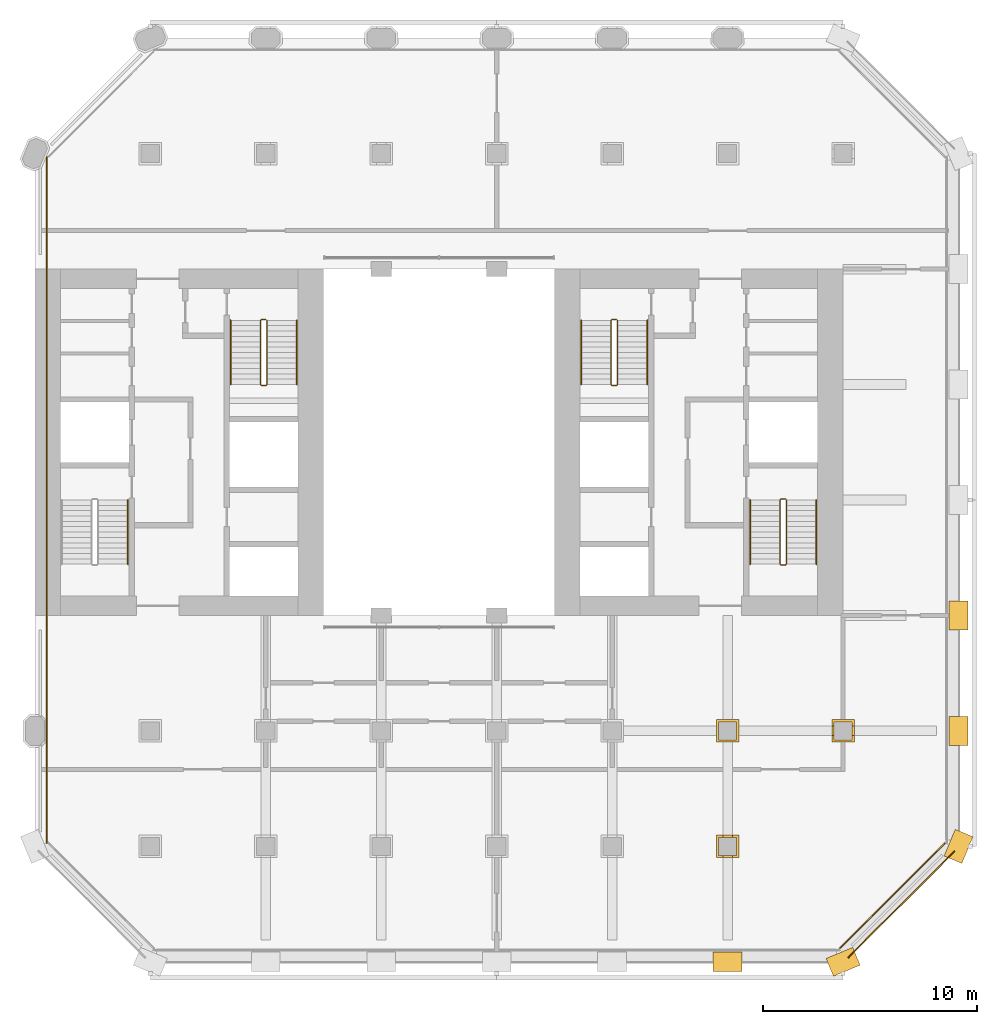
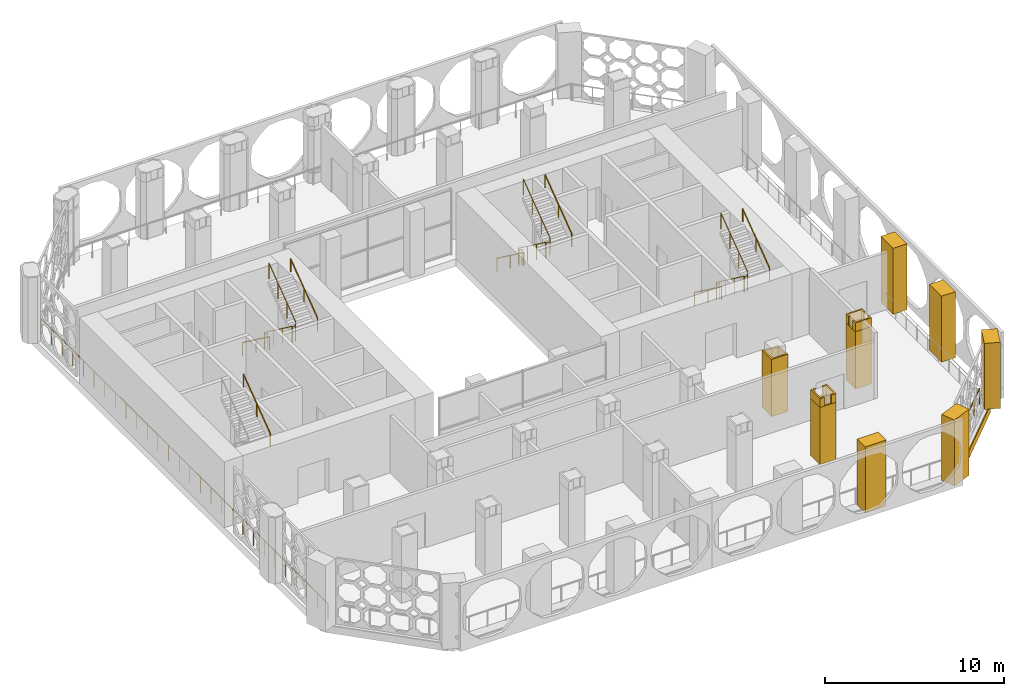
# One storey, part 12 of 14: 13 coverings, 12 railings.
"""IFC4 building model written with IfcOpenShell, lengths in metres."""

from ifc_helpers import new_model, si_unit, direction, frame, frame_2d, origin, origin_2d, place, context, subcontext, project, spatial, polyline, rectangle, circle, outline, extrude, material, layer, layer_set, type_object, element, save


model = new_model("IFC4")

# Units and contexts
model_context = context("Model", 3, precision=1e-05, world=origin(), true_north=direction((0.0, 1.0)))
body_context = subcontext(model_context, "Body", "Model", "MODEL_VIEW")
ifc_project = project(units=[si_unit("LENGTHUNIT", "METRE"), si_unit("AREAUNIT", "SQUARE_METRE"), si_unit("VOLUMEUNIT", "CUBIC_METRE"), si_unit("PLANEANGLEUNIT", "RADIAN"), si_unit("MASSUNIT", "GRAM", prefix="KILO")], contexts=[model_context])

# Site, building, storey
site_placement = place(None, origin())
site = spatial("IfcSite", under=ifc_project, at=site_placement, CompositionType="ELEMENT")
building_placement = place(site_placement, origin())
building = spatial("IfcBuilding", under=site, at=building_placement, Name="Tabaq Tower and Sports Hall", CompositionType="ELEMENT")
storey_placement = place(building_placement, frame((0.0, 0.0, 175.89990234375)))
storey = spatial("IfcBuildingStorey", under=building, at=storey_placement, Name="L42", CompositionType="ELEMENT", Elevation=175.89990234375)

# Coverings
ifc_material_1 = material(Name="Precast concrete C60/75", Category="concrete")
ifc_layer_1 = layer(ifc_material_1, 0.10009765625)
ifc_layer_set_1 = layer_set([ifc_layer_1], Name="Column cladding 100")
covering_type_1 = type_object("IfcCoveringType", Name="Column cladding 100", PredefinedType="CLADDING", material=ifc_layer_set_1)
covering_1_placement = place(storey_placement, origin())
element("IfcCovering", 1, at=covering_1_placement, inside=storey, type_object=covering_type_1, Name="Column cladding L42 CC-8B-H1", PredefinedType="CLADDING", context=body_context, shape_type="SweptSolid", body=[
    extrude(outline(polyline([(37.275390625, 5.9248046875), (38.32470703125, 5.9248046875), (38.32470703125, 4.875244140625), (37.275390625, 4.875244140625), (37.275390625, 5.9248046875)]), holes=[polyline([(38.225341796875, 4.974609375), (38.225341796875, 5.8251953125), (37.374755859375, 5.8251953125), (37.374755859375, 4.974609375), (38.225341796875, 4.974609375)])]), origin(), (0.0, 0.0, 1.0), 3.900146484375),
])
covering_2_placement = place(storey_placement, frame((0.0, 0.0, 3.900146484375)))
element("IfcCovering", 2, at=covering_2_placement, inside=storey, type_object=covering_type_1, Name="Column cladding L42 CC-8B-H1 head", PredefinedType="CLADDING", context=body_context, shape_type="SweptSolid", body=[
    extrude(outline(polyline([(37.574462890625, 4.974365234375), (37.574462890625, 4.87548828125), (37.275634765625, 4.87548828125), (37.275634765625, 5.92431640625), (37.574462890625, 5.92431640625), (37.574462890625, 5.82568359375), (37.37451171875, 5.82568359375), (37.37451171875, 4.974365234375), (37.574462890625, 4.974365234375)])), origin(), (0.0, 0.0, 1.0), 0.599853515625),
])
covering_3_placement = place(storey_placement, frame((0.0, 0.0, 3.900146484375)))
element("IfcCovering", 3, at=covering_3_placement, inside=storey, type_object=covering_type_1, Name="Column cladding L42 CC-8B-H1 head 2", PredefinedType="CLADDING", context=body_context, shape_type="SweptSolid", body=[
    extrude(outline(polyline([(38.025634765625, 4.974365234375), (38.2255859375, 4.974365234375), (38.2255859375, 5.82568359375), (38.025634765625, 5.82568359375), (38.025634765625, 5.92431640625), (38.324462890625, 5.92431640625), (38.324462890625, 4.87548828125), (38.025634765625, 4.87548828125), (38.025634765625, 4.974365234375)])), origin(), (0.0, 0.0, 1.0), 0.599853515625),
])
covering_4_placement = place(storey_placement, origin())
element("IfcCovering", 4, at=covering_4_placement, inside=storey, type_object=covering_type_1, Name="Column cladding L42 CC-8C-H1", PredefinedType="CLADDING", context=body_context, shape_type="SweptSolid", body=[
    extrude(outline(polyline([(37.275390625, 11.32470703125), (38.32470703125, 11.32470703125), (38.32470703125, 10.275390625), (37.275390625, 10.275390625), (37.275390625, 11.32470703125)]), holes=[polyline([(38.225341796875, 10.374755859375), (38.225341796875, 11.225341796875), (37.374755859375, 11.225341796875), (37.374755859375, 10.374755859375), (38.225341796875, 10.374755859375)])]), origin(), (0.0, 0.0, 1.0), 3.900146484375),
])
covering_5_placement = place(storey_placement, origin())
element("IfcCovering", 5, at=covering_5_placement, inside=storey, type_object=covering_type_1, Name="Column cladding L42 CC-9C-H1", PredefinedType="CLADDING", context=body_context, shape_type="SweptSolid", body=[
    extrude(outline(polyline([(42.67529296875, 11.32470703125), (43.724609375, 11.32470703125), (43.724609375, 10.275390625), (42.67529296875, 10.275390625), (42.67529296875, 11.32470703125)]), holes=[polyline([(43.625244140625, 10.374755859375), (43.625244140625, 11.225341796875), (42.774658203125, 11.225341796875), (42.774658203125, 10.374755859375), (43.625244140625, 10.374755859375)])]), origin(), (0.0, 0.0, 1.0), 3.900146484375),
])
covering_6_placement = place(storey_placement, frame((0.0, 0.0, 3.900146484375)))
element("IfcCovering", 6, at=covering_6_placement, inside=storey, type_object=covering_type_1, Name="Column cladding L42 CC-9C-H1 head", PredefinedType="CLADDING", context=body_context, shape_type="SweptSolid", body=[
    extrude(outline(polyline([(42.7744140625, 10.574462890625), (42.7744140625, 10.37451171875), (43.62548828125, 10.37451171875), (43.62548828125, 10.574462890625), (43.724365234375, 10.574462890625), (43.724365234375, 10.275634765625), (42.675537109375, 10.275634765625), (42.675537109375, 10.574462890625), (42.7744140625, 10.574462890625)])), origin(), (0.0, 0.0, 1.0), 0.599853515625),
])
covering_7_placement = place(storey_placement, frame((0.0, 0.0, 3.900146484375)))
element("IfcCovering", 7, at=covering_7_placement, inside=storey, type_object=covering_type_1, Name="Column cladding L42 CC-9C-H1 head 2", PredefinedType="CLADDING", context=body_context, shape_type="SweptSolid", body=[
    extrude(outline(polyline([(42.7744140625, 11.025634765625), (42.675537109375, 11.025634765625), (42.675537109375, 11.324462890625), (43.724365234375, 11.324462890625), (43.724365234375, 11.025634765625), (43.62548828125, 11.025634765625), (43.62548828125, 11.2255859375), (42.7744140625, 11.2255859375), (42.7744140625, 11.025634765625)])), origin(), (0.0, 0.0, 1.0), 0.599853515625),
])
ifc_material_2 = material(Name="Precast concrete C60/75", Category="concrete")
ifc_layer_2 = layer(ifc_material_2, 0.06005859375)
ifc_layer_set_2 = layer_set([ifc_layer_2], Name="Edge beam cladding 60")
covering_type_2 = type_object("IfcCoveringType", Name="Edge beam cladding 60", PredefinedType="CLADDING", material=ifc_layer_set_2)
covering_8_placement = place(storey_placement, frame((43.432373046875, 0.18994140625, -0.5), z_axis=(0.0, 0.0, 1.0), x_axis=(0.707106781187, 0.707106781187, 0.0)))
element("IfcCovering", 8, at=covering_8_placement, inside=storey, type_object=covering_type_2, Name="Edge beam cladding L42 2", PredefinedType="CLADDING", context=body_context, shape_type="SweptSolid", body=[
    extrude(rectangle(XDim=7.03955078125, YDim=0.06005859375, at=frame_2d((3.519775390625, 0.0))), origin(), (0.0, 0.0, 1.0), 0.5),
])

# Railings
ifc_material_3 = material(Name="Stainless steel S316 and laminated glass", Category="steel")
railing_type_1 = type_object("IfcRailingType", Name="Guard 1100 steel and glass", PredefinedType="GUARDRAIL", material=ifc_material_3)
railing_1_placement = place(storey_placement, frame((43.0712890625, 0.64892578125, 0.0)))
element("IfcRailing", 9, at=railing_1_placement, inside=storey, type_object=railing_type_1, Name="Guard L42 SE", PredefinedType="GUARDRAIL", context=body_context, shape_type="SweptSolid", body=[
    extrude(circle(Radius=0.02490234375, at=origin_2d()), frame((0.0, 0.0, 1.0751953125), z_axis=(0.70708909224, 0.70712446969, 0.0), x_axis=(-0.70712446969, 0.70708909224, 0.0)), (0.0, 0.0, 1.0), 6.901123046875),
    extrude(circle(Radius=0.02001953125, at=origin_2d()), origin(), (0.0, 0.0, 1.0), 1.050048828125),
    extrude(circle(Radius=0.02001953125, at=origin_2d()), frame((0.813232421875, 0.813232421875, 0.0)), (0.0, 0.0, 1.0), 1.050048828125),
    extrude(circle(Radius=0.02001953125, at=origin_2d()), frame((1.62646484375, 1.626708984375, 0.0)), (0.0, 0.0, 1.0), 1.050048828125),
    extrude(circle(Radius=0.02001953125, at=origin_2d()), frame((2.43994140625, 2.43994140625, 0.0)), (0.0, 0.0, 1.0), 1.050048828125),
    extrude(circle(Radius=0.02001953125, at=origin_2d()), frame((3.253173828125, 3.253173828125, 0.0)), (0.0, 0.0, 1.0), 1.050048828125),
    extrude(circle(Radius=0.02001953125, at=origin_2d()), frame((4.06640625, 4.066650390625, 0.0)), (0.0, 0.0, 1.0), 1.050048828125),
    extrude(circle(Radius=0.02001953125, at=origin_2d()), frame((4.879638671875, 4.8798828125, 0.0)), (0.0, 0.0, 1.0), 1.050048828125),
])
railing_2_placement = place(storey_placement, frame((5.949951171875, 37.63427734375, 0.0)))
element("IfcRailing", 10, at=railing_2_placement, inside=storey, type_object=railing_type_1, Name="Guard L42 W", PredefinedType="GUARDRAIL", context=body_context, shape_type="SweptSolid", body=[
    extrude(circle(Radius=0.02490234375, at=origin_2d()), frame((0.0, 0.0, 1.0751953125), z_axis=(0.0, -1.0, 0.0), x_axis=(1.0, 0.0, 0.0)), (0.0, 0.0, 1.0), 32.068603515625),
    extrude(circle(Radius=0.02001953125, at=origin_2d()), origin(), (0.0, 0.0, 1.0), 1.050048828125),
    extrude(circle(Radius=0.02001953125, at=origin_2d()), frame((0.0, -1.187744140625, 0.0)), (0.0, 0.0, 1.0), 1.050048828125),
    extrude(circle(Radius=0.02001953125, at=origin_2d()), frame((0.0, -2.37548828125, 0.0)), (0.0, 0.0, 1.0), 1.050048828125),
    extrude(circle(Radius=0.02001953125, at=origin_2d()), frame((0.0, -3.563232421875, 0.0)), (0.0, 0.0, 1.0), 1.050048828125),
    extrude(circle(Radius=0.02001953125, at=origin_2d()), frame((0.0, -4.7509765625, 0.0)), (0.0, 0.0, 1.0), 1.050048828125),
    extrude(circle(Radius=0.02001953125, at=origin_2d()), frame((0.0, -5.938720703125, 0.0)), (0.0, 0.0, 1.0), 1.050048828125),
    extrude(circle(Radius=0.02001953125, at=origin_2d()), frame((0.0, -7.12646484375, 0.0)), (0.0, 0.0, 1.0), 1.050048828125),
    extrude(circle(Radius=0.02001953125, at=origin_2d()), frame((0.0, -8.31396484375, 0.0)), (0.0, 0.0, 1.0), 1.050048828125),
    extrude(circle(Radius=0.02001953125, at=origin_2d()), frame((0.0, -9.501708984375, 0.0)), (0.0, 0.0, 1.0), 1.050048828125),
    extrude(circle(Radius=0.02001953125, at=origin_2d()), frame((0.0, -10.689453125, 0.0)), (0.0, 0.0, 1.0), 1.050048828125),
    extrude(circle(Radius=0.02001953125, at=origin_2d()), frame((0.0, -11.877197265625, 0.0)), (0.0, 0.0, 1.0), 1.050048828125),
    extrude(circle(Radius=0.02001953125, at=origin_2d()), frame((0.0, -13.06494140625, 0.0)), (0.0, 0.0, 1.0), 1.050048828125),
    extrude(circle(Radius=0.02001953125, at=origin_2d()), frame((0.0, -14.252685546875, 0.0)), (0.0, 0.0, 1.0), 1.050048828125),
    extrude(circle(Radius=0.02001953125, at=origin_2d()), frame((0.0, -15.4404296875, 0.0)), (0.0, 0.0, 1.0), 1.050048828125),
    extrude(circle(Radius=0.02001953125, at=origin_2d()), frame((0.0, -16.628173828125, 0.0)), (0.0, 0.0, 1.0), 1.050048828125),
    extrude(circle(Radius=0.02001953125, at=origin_2d()), frame((0.0, -17.81591796875, 0.0)), (0.0, 0.0, 1.0), 1.050048828125),
    extrude(circle(Radius=0.02001953125, at=origin_2d()), frame((0.0, -19.003662109375, 0.0)), (0.0, 0.0, 1.0), 1.050048828125),
    extrude(circle(Radius=0.02001953125, at=origin_2d()), frame((0.0, -20.19140625, 0.0)), (0.0, 0.0, 1.0), 1.050048828125),
    extrude(circle(Radius=0.02001953125, at=origin_2d()), frame((0.0, -21.379150390625, 0.0)), (0.0, 0.0, 1.0), 1.050048828125),
    extrude(circle(Radius=0.02001953125, at=origin_2d()), frame((0.0, -22.56689453125, 0.0)), (0.0, 0.0, 1.0), 1.050048828125),
    extrude(circle(Radius=0.02001953125, at=origin_2d()), frame((0.0, -23.754638671875, 0.0)), (0.0, 0.0, 1.0), 1.050048828125),
    extrude(circle(Radius=0.02001953125, at=origin_2d()), frame((0.0, -24.942138671875, 0.0)), (0.0, 0.0, 1.0), 1.050048828125),
    extrude(circle(Radius=0.02001953125, at=origin_2d()), frame((0.0, -26.1298828125, 0.0)), (0.0, 0.0, 1.0), 1.050048828125),
    extrude(circle(Radius=0.02001953125, at=origin_2d()), frame((0.0, -27.317626953125, 0.0)), (0.0, 0.0, 1.0), 1.050048828125),
    extrude(circle(Radius=0.02001953125, at=origin_2d()), frame((0.0, -28.50537109375, 0.0)), (0.0, 0.0, 1.0), 1.050048828125),
    extrude(circle(Radius=0.02001953125, at=origin_2d()), frame((0.0, -29.693115234375, 0.0)), (0.0, 0.0, 1.0), 1.050048828125),
    extrude(circle(Radius=0.02001953125, at=origin_2d()), frame((0.0, -30.880859375, 0.0)), (0.0, 0.0, 1.0), 1.050048828125),
    extrude(circle(Radius=0.02001953125, at=origin_2d()), frame((0.0, -32.068603515625, 0.0)), (0.0, 0.0, 1.0), 1.050048828125),
])

# Coverings
ifc_material_4 = material(Name="White precast concrete C60/75", Category="concrete")
covering_type_3 = type_object("IfcCoveringType", Name="Pier cladding hung 1350x900", PredefinedType="CLADDING", material=ifc_material_4)
for number, where, z_axis, x_axis, name in (
    (11, (37.125, 0.0, 0.0), (0.0, 0.0, 1.0), (1.0, 0.0, 0.0), "Hung pier cladding 7/0"),
    (12, (42.576416015625, -0.25830078125, 0.0), (0.0, 0.0, 1.0), (0.923893411637, 0.382649923473, 0.0), "Hung pier cladding 8/0"),
    (13, (48.341796875, 4.7763671875, 0.0), (0.0, 0.0, 1.0), (0.382649923473, 0.923893411637, 0.0), "Hung pier cladding 9/1"),
    (14, (48.60009765625, 10.125, 0.0), (0.0, 0.0, 1.0), (0.0, 1.0, 0.0), "Hung pier cladding 9/2"),
    (15, (48.60009765625, 15.52490234375, 0.0), (0.0, 0.0, 1.0), (0.0, 1.0, 0.0), "Hung pier cladding 9/3"),
):
    element("IfcCovering", number, at=place(storey_placement, frame(where, z_axis=z_axis, x_axis=x_axis)), inside=storey, type_object=covering_type_3, Name=name, PredefinedType="CLADDING", context=body_context, shape_type="SweptSolid", body=[
        extrude(rectangle(XDim=1.35009765625, YDim=0.89990234375, at=frame_2d((0.675048828125, 0.0))), origin(), (0.0, 0.0, 1.0), 4.5),
    ])

# Railings
ifc_material_5 = material(Name="Stainless steel", Category="steel")
railing_type_2 = type_object("IfcRailingType", Name="Stair guard", PredefinedType="GUARDRAIL", material=ifc_material_5)
railing_3_placement = place(storey_placement, frame((16.199951171875, 30.050048828125, 0.0)))
element("IfcRailing", 16, at=railing_3_placement, inside=storey, type_object=railing_type_2, Name="L42 ST2 stair guard 1", PredefinedType="GUARDRAIL", context=body_context, shape_type="SweptSolid", body=[
    extrude(circle(Radius=0.02392578125, at=origin_2d()), frame((0.0, 0.0, 1.076171875), z_axis=(-1.0, 0.0, 0.0), x_axis=(0.0, -1.0, 0.0)), (0.0, 0.0, 1.0), 0.199951171875),
    extrude(circle(Radius=0.02392578125, at=origin_2d()), frame((-0.199951171875, 0.0, 1.076171875), z_axis=(-0.252893960547, -0.252893960547, 0.933857210411), x_axis=(0.707106781187, -0.707106781187, 0.0)), (0.0, 0.0, 1.0), 0.197998046875),
    extrude(circle(Radius=0.02392578125, at=origin_2d()), frame((-0.25, -0.050048828125, 1.2607421875), z_axis=(0.0, -0.804440004972, 0.594033903411), x_axis=(1.0, 0.0, 0.0)), (0.0, 0.0, 1.0), 3.729248046875),
    extrude(circle(Radius=0.02392578125, at=origin_2d()), frame((-0.25, -3.050048828125, 3.47607421875), z_axis=(0.707106781187, -0.707106781187, 0.0), x_axis=(0.707106781187, 0.707106781187, 0.0)), (0.0, 0.0, 1.0), 0.07080078125),
    extrude(circle(Radius=0.02392578125, at=origin_2d()), frame((-0.199951171875, -3.10009765625, 3.47607421875), z_axis=(1.0, 0.0, 0.0), x_axis=(0.0, 1.0, 0.0)), (0.0, 0.0, 1.0), 0.199951171875),
    extrude(circle(Radius=0.02392578125, at=origin_2d()), frame((0.0, -3.10009765625, 3.47607421875), z_axis=(0.253185614162, 0.253185614162, 0.933699142959), x_axis=(-0.707106781187, 0.707106781187, 0.0)), (0.0, 0.0, 1.0), 0.19775390625),
    extrude(circle(Radius=0.02392578125, at=origin_2d()), frame((0.050048828125, -3.050048828125, 3.66064453125), z_axis=(0.0, 0.804440004972, 0.594033903411), x_axis=(-1.0, 0.0, 0.0)), (0.0, 0.0, 1.0), 3.729248046875),
    extrude(circle(Radius=0.02099609375, at=origin_2d()), origin(), (0.0, 0.0, 1.0), 1.052001953125),
    extrude(circle(Radius=0.02099609375, at=origin_2d()), frame((-0.199951171875, 0.0, 0.0)), (0.0, 0.0, 1.0), 1.052001953125),
    extrude(circle(Radius=0.02099609375, at=origin_2d()), frame((-0.25, -0.050048828125, 0.184814453125)), (0.0, 0.0, 1.0), 1.052001953125),
    extrude(circle(Radius=0.02099609375, at=origin_2d()), frame((-0.25, -1.050048828125, 0.92333984375)), (0.0, 0.0, 1.0), 1.052001953125),
    extrude(circle(Radius=0.02099609375, at=origin_2d()), frame((-0.25, -2.050048828125, 1.66162109375)), (0.0, 0.0, 1.0), 1.052001953125),
    extrude(circle(Radius=0.02099609375, at=origin_2d()), frame((-0.25, -3.050048828125, 2.400146484375)), (0.0, 0.0, 1.0), 1.052001953125),
    extrude(circle(Radius=0.02099609375, at=origin_2d()), frame((-0.199951171875, -3.10009765625, 2.400146484375)), (0.0, 0.0, 1.0), 1.052001953125),
    extrude(circle(Radius=0.02099609375, at=origin_2d()), frame((0.0, -3.10009765625, 2.400146484375)), (0.0, 0.0, 1.0), 1.052001953125),
    extrude(circle(Radius=0.02099609375, at=origin_2d()), frame((0.050048828125, -3.050048828125, 2.584716796875)), (0.0, 0.0, 1.0), 1.052001953125),
    extrude(circle(Radius=0.02099609375, at=origin_2d()), frame((0.050048828125, -2.050048828125, 3.3232421875)), (0.0, 0.0, 1.0), 1.052001953125),
    extrude(circle(Radius=0.02099609375, at=origin_2d()), frame((0.050048828125, -1.050048828125, 4.0615234375)), (0.0, 0.0, 1.0), 1.052001953125),
    extrude(circle(Radius=0.02099609375, at=origin_2d()), frame((0.050048828125, -0.050048828125, 4.800048828125)), (0.0, 0.0, 1.0), 1.052001953125),
])
railing_4_placement = place(storey_placement, frame((40.5, 21.64990234375, 0.0)))
element("IfcRailing", 17, at=railing_4_placement, inside=storey, type_object=railing_type_2, Name="L42 ST3 stair guard 1", PredefinedType="GUARDRAIL", context=body_context, shape_type="SweptSolid", body=[
    extrude(circle(Radius=0.02392578125, at=origin_2d()), frame((0.0, 0.0, 1.076171875), z_axis=(-1.0, 0.0, 0.0), x_axis=(0.0, -1.0, 0.0)), (0.0, 0.0, 1.0), 0.199951171875),
    extrude(circle(Radius=0.02392578125, at=origin_2d()), frame((-0.199951171875, 0.0, 1.076171875), z_axis=(-0.252972702061, -0.251738688881, 0.934147977856), x_axis=(0.705375805398, -0.708833529934, 0.0)), (0.0, 0.0, 1.0), 0.19775390625),
    extrude(circle(Radius=0.02392578125, at=origin_2d()), frame((-0.25, -0.0498046875, 1.2607421875), z_axis=(0.0, -0.804440004972, 0.594033903411), x_axis=(1.0, 0.0, 0.0)), (0.0, 0.0, 1.0), 3.729248046875),
    extrude(circle(Radius=0.02392578125, at=origin_2d()), frame((-0.25, -3.0498046875, 3.47607421875), z_axis=(0.707106781187, -0.707106781187, 0.0), x_axis=(0.707106781187, 0.707106781187, 0.0)), (0.0, 0.0, 1.0), 0.07080078125),
    extrude(circle(Radius=0.02392578125, at=origin_2d()), frame((-0.199951171875, -3.099853515625, 3.47607421875), z_axis=(1.0, 0.0, 0.0), x_axis=(0.0, 1.0, 0.0)), (0.0, 0.0, 1.0), 0.199951171875),
    extrude(circle(Radius=0.02392578125, at=origin_2d()), frame((0.0, -3.099853515625, 3.47607421875), z_axis=(0.253185614162, 0.253185614162, 0.933699142959), x_axis=(-0.707106781187, 0.707106781187, 0.0)), (0.0, 0.0, 1.0), 0.19775390625),
    extrude(circle(Radius=0.02392578125, at=origin_2d()), frame((0.050048828125, -3.0498046875, 3.66064453125), z_axis=(0.0, 0.804440004972, 0.594033903411), x_axis=(-1.0, 0.0, 0.0)), (0.0, 0.0, 1.0), 3.729248046875),
    extrude(circle(Radius=0.02099609375, at=origin_2d()), origin(), (0.0, 0.0, 1.0), 1.052001953125),
    extrude(circle(Radius=0.02099609375, at=origin_2d()), frame((-0.199951171875, 0.0, 0.0)), (0.0, 0.0, 1.0), 1.052001953125),
    extrude(circle(Radius=0.02099609375, at=origin_2d()), frame((-0.25, -0.0498046875, 0.184814453125)), (0.0, 0.0, 1.0), 1.052001953125),
    extrude(circle(Radius=0.02099609375, at=origin_2d()), frame((-0.25, -1.0498046875, 0.92333984375)), (0.0, 0.0, 1.0), 1.052001953125),
    extrude(circle(Radius=0.02099609375, at=origin_2d()), frame((-0.25, -2.0498046875, 1.66162109375)), (0.0, 0.0, 1.0), 1.052001953125),
    extrude(circle(Radius=0.02099609375, at=origin_2d()), frame((-0.25, -3.0498046875, 2.400146484375)), (0.0, 0.0, 1.0), 1.052001953125),
    extrude(circle(Radius=0.02099609375, at=origin_2d()), frame((-0.199951171875, -3.099853515625, 2.400146484375)), (0.0, 0.0, 1.0), 1.052001953125),
    extrude(circle(Radius=0.02099609375, at=origin_2d()), frame((0.0, -3.099853515625, 2.400146484375)), (0.0, 0.0, 1.0), 1.052001953125),
    extrude(circle(Radius=0.02099609375, at=origin_2d()), frame((0.050048828125, -3.0498046875, 2.584716796875)), (0.0, 0.0, 1.0), 1.052001953125),
    extrude(circle(Radius=0.02099609375, at=origin_2d()), frame((0.050048828125, -2.0498046875, 3.3232421875)), (0.0, 0.0, 1.0), 1.052001953125),
    extrude(circle(Radius=0.02099609375, at=origin_2d()), frame((0.050048828125, -1.0498046875, 4.0615234375)), (0.0, 0.0, 1.0), 1.052001953125),
    extrude(circle(Radius=0.02099609375, at=origin_2d()), frame((0.050048828125, -0.0498046875, 4.800048828125)), (0.0, 0.0, 1.0), 1.052001953125),
])
railing_5_placement = place(storey_placement, frame((32.60009765625, 30.050048828125, 0.0)))
element("IfcRailing", 18, at=railing_5_placement, inside=storey, type_object=railing_type_2, Name="L42 ST4 stair guard 1", PredefinedType="GUARDRAIL", context=body_context, shape_type="SweptSolid", body=[
    extrude(circle(Radius=0.02392578125, at=origin_2d()), frame((0.0, 0.0, 1.076171875), z_axis=(-1.0, 0.0, 0.0), x_axis=(0.0, -1.0, 0.0)), (0.0, 0.0, 1.0), 0.2001953125),
    extrude(circle(Radius=0.02392578125, at=origin_2d()), frame((-0.2001953125, 0.0, 1.076171875), z_axis=(-0.251738688881, -0.252972702061, 0.934147977856), x_axis=(0.708833529934, -0.705375805398, 0.0)), (0.0, 0.0, 1.0), 0.19775390625),
    extrude(circle(Radius=0.02392578125, at=origin_2d()), frame((-0.25, -0.050048828125, 1.2607421875), z_axis=(0.0, -0.804440004972, 0.594033903411), x_axis=(1.0, 0.0, 0.0)), (0.0, 0.0, 1.0), 3.729248046875),
    extrude(circle(Radius=0.02392578125, at=origin_2d()), frame((-0.25, -3.050048828125, 3.47607421875), z_axis=(0.705375805398, -0.708833529934, 0.0), x_axis=(0.708833529934, 0.705375805398, 0.0)), (0.0, 0.0, 1.0), 0.070556640625),
    extrude(circle(Radius=0.02392578125, at=origin_2d()), frame((-0.2001953125, -3.10009765625, 3.47607421875), z_axis=(1.0, 0.0, 0.0), x_axis=(0.0, 1.0, 0.0)), (0.0, 0.0, 1.0), 0.2001953125),
    extrude(circle(Radius=0.02392578125, at=origin_2d()), frame((0.0, -3.10009765625, 3.47607421875), z_axis=(0.252029191293, 0.253264628505, 0.933990532438), x_axis=(-0.708833529934, 0.705375805398, 0.0)), (0.0, 0.0, 1.0), 0.197509765625),
    extrude(circle(Radius=0.02392578125, at=origin_2d()), frame((0.0498046875, -3.050048828125, 3.66064453125), z_axis=(0.0, 0.804440004972, 0.594033903411), x_axis=(-1.0, 0.0, 0.0)), (0.0, 0.0, 1.0), 3.729248046875),
    extrude(circle(Radius=0.02099609375, at=origin_2d()), origin(), (0.0, 0.0, 1.0), 1.052001953125),
    extrude(circle(Radius=0.02099609375, at=origin_2d()), frame((-0.2001953125, 0.0, 0.0)), (0.0, 0.0, 1.0), 1.052001953125),
    extrude(circle(Radius=0.02099609375, at=origin_2d()), frame((-0.25, -0.050048828125, 0.184814453125)), (0.0, 0.0, 1.0), 1.052001953125),
    extrude(circle(Radius=0.02099609375, at=origin_2d()), frame((-0.25, -1.050048828125, 0.92333984375)), (0.0, 0.0, 1.0), 1.052001953125),
    extrude(circle(Radius=0.02099609375, at=origin_2d()), frame((-0.25, -2.050048828125, 1.66162109375)), (0.0, 0.0, 1.0), 1.052001953125),
    extrude(circle(Radius=0.02099609375, at=origin_2d()), frame((-0.25, -3.050048828125, 2.400146484375)), (0.0, 0.0, 1.0), 1.052001953125),
    extrude(circle(Radius=0.02099609375, at=origin_2d()), frame((-0.2001953125, -3.10009765625, 2.400146484375)), (0.0, 0.0, 1.0), 1.052001953125),
    extrude(circle(Radius=0.02099609375, at=origin_2d()), frame((0.0, -3.10009765625, 2.400146484375)), (0.0, 0.0, 1.0), 1.052001953125),
    extrude(circle(Radius=0.02099609375, at=origin_2d()), frame((0.0498046875, -3.050048828125, 2.584716796875)), (0.0, 0.0, 1.0), 1.052001953125),
    extrude(circle(Radius=0.02099609375, at=origin_2d()), frame((0.0498046875, -2.050048828125, 3.3232421875)), (0.0, 0.0, 1.0), 1.052001953125),
    extrude(circle(Radius=0.02099609375, at=origin_2d()), frame((0.0498046875, -1.050048828125, 4.0615234375)), (0.0, 0.0, 1.0), 1.052001953125),
    extrude(circle(Radius=0.02099609375, at=origin_2d()), frame((0.0498046875, -0.050048828125, 4.800048828125)), (0.0, 0.0, 1.0), 1.052001953125),
])
ifc_material_6 = material(Name="Stainless steel", Category="steel")
railing_type_3 = type_object("IfcRailingType", Name="Stair handrail", PredefinedType="HANDRAIL", material=ifc_material_6)
railing_6_placement = place(storey_placement, frame((9.75, 18.60009765625, 2.584716796875)))
element("IfcRailing", 19, at=railing_6_placement, inside=storey, type_object=railing_type_3, Name="L42 ST1 stair handrail 2", PredefinedType="HANDRAIL", context=body_context, shape_type="SweptSolid", body=[
    extrude(circle(Radius=0.02392578125, at=origin_2d()), frame((0.0, 0.0, 0.8759765625), z_axis=(0.0, 0.804440004972, 0.594033903411), x_axis=(-1.0, 0.0, 0.0)), (0.0, 0.0, 1.0), 3.729248046875),
    extrude(circle(Radius=0.02099609375, at=origin_2d()), origin(), (0.0, 0.0, 1.0), 0.851806640625),
    extrude(circle(Radius=0.02099609375, at=origin_2d()), frame((0.0, 1.5, 1.107666015625)), (0.0, 0.0, 1.0), 0.851806640625),
    extrude(circle(Radius=0.02099609375, at=origin_2d()), frame((0.0, 3.0, 2.21533203125)), (0.0, 0.0, 1.0), 0.851806640625),
])
railing_7_placement = place(storey_placement, frame((14.550048828125, 30.0, 0.184814453125)))
element("IfcRailing", 20, at=railing_7_placement, inside=storey, type_object=railing_type_3, Name="L42 ST2 stair handrail 1", PredefinedType="HANDRAIL", context=body_context, shape_type="SweptSolid", body=[
    extrude(circle(Radius=0.02392578125, at=origin_2d()), frame((0.0, 0.0, 0.8759765625), z_axis=(0.0, -0.804440004972, 0.594033903411), x_axis=(1.0, 0.0, 0.0)), (0.0, 0.0, 1.0), 3.729248046875),
    extrude(circle(Radius=0.02099609375, at=origin_2d()), origin(), (0.0, 0.0, 1.0), 0.851806640625),
    extrude(circle(Radius=0.02099609375, at=origin_2d()), frame((0.0, -1.5, 1.107666015625)), (0.0, 0.0, 1.0), 0.851806640625),
    extrude(circle(Radius=0.02099609375, at=origin_2d()), frame((0.0, -3.0, 2.21533203125)), (0.0, 0.0, 1.0), 0.851806640625),
])
railing_8_placement = place(storey_placement, frame((17.64990234375, 27.0, 2.584716796875)))
element("IfcRailing", 21, at=railing_8_placement, inside=storey, type_object=railing_type_3, Name="L42 ST2 stair handrail 2", PredefinedType="HANDRAIL", context=body_context, shape_type="SweptSolid", body=[
    extrude(circle(Radius=0.02392578125, at=origin_2d()), frame((0.0, 0.0, 0.8759765625), z_axis=(0.0, 0.804440004972, 0.594033903411), x_axis=(-1.0, 0.0, 0.0)), (0.0, 0.0, 1.0), 3.729248046875),
    extrude(circle(Radius=0.02099609375, at=origin_2d()), origin(), (0.0, 0.0, 1.0), 0.851806640625),
    extrude(circle(Radius=0.02099609375, at=origin_2d()), frame((0.0, 1.5, 1.107666015625)), (0.0, 0.0, 1.0), 0.851806640625),
    extrude(circle(Radius=0.02099609375, at=origin_2d()), frame((0.0, 3.0, 2.21533203125)), (0.0, 0.0, 1.0), 0.851806640625),
])
railing_9_placement = place(storey_placement, frame((38.85009765625, 21.60009765625, 0.184814453125)))
element("IfcRailing", 22, at=railing_9_placement, inside=storey, type_object=railing_type_3, Name="L42 ST3 stair handrail 1", PredefinedType="HANDRAIL", context=body_context, shape_type="SweptSolid", body=[
    extrude(circle(Radius=0.02392578125, at=origin_2d()), frame((0.0, 0.0, 0.8759765625), z_axis=(0.0, -0.804440004972, 0.594033903411), x_axis=(1.0, 0.0, 0.0)), (0.0, 0.0, 1.0), 3.729248046875),
    extrude(circle(Radius=0.02099609375, at=origin_2d()), origin(), (0.0, 0.0, 1.0), 0.851806640625),
    extrude(circle(Radius=0.02099609375, at=origin_2d()), frame((0.0, -1.5, 1.107666015625)), (0.0, 0.0, 1.0), 0.851806640625),
    extrude(circle(Radius=0.02099609375, at=origin_2d()), frame((0.0, -3.0, 2.21533203125)), (0.0, 0.0, 1.0), 0.851806640625),
])
railing_10_placement = place(storey_placement, frame((41.949951171875, 18.60009765625, 2.584716796875)))
element("IfcRailing", 23, at=railing_10_placement, inside=storey, type_object=railing_type_3, Name="L42 ST3 stair handrail 2", PredefinedType="HANDRAIL", context=body_context, shape_type="SweptSolid", body=[
    extrude(circle(Radius=0.02392578125, at=origin_2d()), frame((0.0, 0.0, 0.8759765625), z_axis=(0.0, 0.804440004972, 0.594033903411), x_axis=(-1.0, 0.0, 0.0)), (0.0, 0.0, 1.0), 3.729248046875),
    extrude(circle(Radius=0.02099609375, at=origin_2d()), origin(), (0.0, 0.0, 1.0), 0.851806640625),
    extrude(circle(Radius=0.02099609375, at=origin_2d()), frame((0.0, 1.5, 1.107666015625)), (0.0, 0.0, 1.0), 0.851806640625),
    extrude(circle(Radius=0.02099609375, at=origin_2d()), frame((0.0, 3.0, 2.21533203125)), (0.0, 0.0, 1.0), 0.851806640625),
])
railing_11_placement = place(storey_placement, frame((30.949951171875, 30.0, 0.184814453125)))
element("IfcRailing", 24, at=railing_11_placement, inside=storey, type_object=railing_type_3, Name="L42 ST4 stair handrail 1", PredefinedType="HANDRAIL", context=body_context, shape_type="SweptSolid", body=[
    extrude(circle(Radius=0.02392578125, at=origin_2d()), frame((0.0, 0.0, 0.8759765625), z_axis=(0.0, -0.804440004972, 0.594033903411), x_axis=(1.0, 0.0, 0.0)), (0.0, 0.0, 1.0), 3.729248046875),
    extrude(circle(Radius=0.02099609375, at=origin_2d()), origin(), (0.0, 0.0, 1.0), 0.851806640625),
    extrude(circle(Radius=0.02099609375, at=origin_2d()), frame((0.0, -1.5, 1.107666015625)), (0.0, 0.0, 1.0), 0.851806640625),
    extrude(circle(Radius=0.02099609375, at=origin_2d()), frame((0.0, -3.0, 2.21533203125)), (0.0, 0.0, 1.0), 0.851806640625),
])
railing_12_placement = place(storey_placement, frame((34.050048828125, 27.0, 2.584716796875)))
element("IfcRailing", 25, at=railing_12_placement, inside=storey, type_object=railing_type_3, Name="L42 ST4 stair handrail 2", PredefinedType="HANDRAIL", context=body_context, shape_type="SweptSolid", body=[
    extrude(circle(Radius=0.02392578125, at=origin_2d()), frame((0.0, 0.0, 0.8759765625), z_axis=(0.0, 0.804440004972, 0.594033903411), x_axis=(-1.0, 0.0, 0.0)), (0.0, 0.0, 1.0), 3.729248046875),
    extrude(circle(Radius=0.02099609375, at=origin_2d()), origin(), (0.0, 0.0, 1.0), 0.851806640625),
    extrude(circle(Radius=0.02099609375, at=origin_2d()), frame((0.0, 1.5, 1.107666015625)), (0.0, 0.0, 1.0), 0.851806640625),
    extrude(circle(Radius=0.02099609375, at=origin_2d()), frame((0.0, 3.0, 2.21533203125)), (0.0, 0.0, 1.0), 0.851806640625),
])

save(model, "model.ifc")
